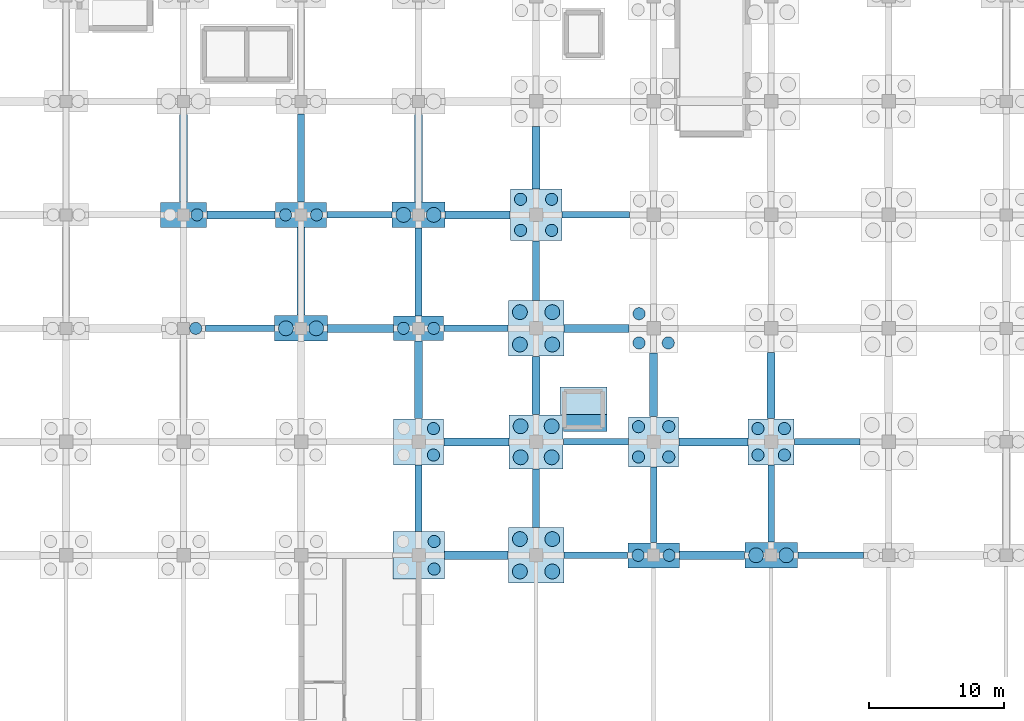
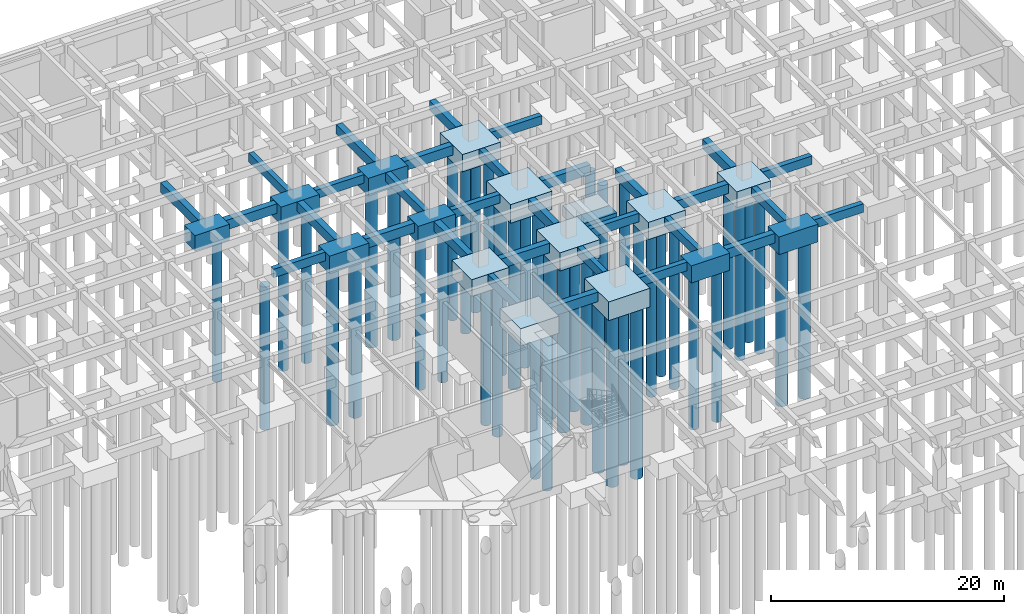
# One storey, part 9 of 33: 48 footings, 45 piles.
"""IFC4 building model written with IfcOpenShell, lengths in metres."""

from ifc_helpers import new_model, si_unit, derived_unit, direction, frame, origin, origin_2d, place, context, subcontext, project, spatial, rectangle, circle, extrude, material, material_profile, profile_set, type_object, element, save


model = new_model("IFC4")

# Units and contexts
model_context = context("Model", 3, precision=1e-05, world=origin(), true_north=direction((0.0, 1.0)))
body_context = subcontext(model_context, "Body", "Model", "MODEL_VIEW")
ifc_project = project(units=[si_unit("LENGTHUNIT", "METRE"), si_unit("AREAUNIT", "SQUARE_METRE"), si_unit("VOLUMEUNIT", "CUBIC_METRE"), si_unit("PLANEANGLEUNIT", "RADIAN"), si_unit("MASSUNIT", "GRAM", prefix="KILO"), derived_unit("THERMALTRANSMITTANCEUNIT", [(si_unit("MASSUNIT", "GRAM", prefix="KILO"), 1), (si_unit("TIMEUNIT", "SECOND"), -3), (si_unit("THERMODYNAMICTEMPERATUREUNIT", "KELVIN"), -1)])], contexts=[model_context])

# Site, building, storey
site_placement = place(None, origin())
site = spatial("IfcSite", under=ifc_project, at=site_placement, CompositionType="ELEMENT")
building_placement = place(site_placement, origin())
building = spatial("IfcBuilding", under=site, at=building_placement, Name="Qinzheling Arcade Emporium", CompositionType="ELEMENT")
storey_placement = place(building_placement, frame((0.0, 0.0, -9.60009765625)))
storey = spatial("IfcBuildingStorey", under=building, at=storey_placement, Name="B2", CompositionType="ELEMENT", Elevation=-9.60009765625)

# Footings
ifc_material = material(Name="Concrete C40", Category="concrete")
footing_type_1 = type_object("IfcFootingType", Name="Canopy Pad Footing 2600x2600x1100 C40", PredefinedType="PAD_FOOTING", material=ifc_material)
footing_1_placement = place(storey_placement, frame((107.89990234375, 76.8349609375, -1.099853515625), z_axis=(0.0, 0.0, 1.0), x_axis=(1.0, 0.0, 0.0)))
element("IfcFooting", 1, at=footing_1_placement, inside=storey, type_object=footing_type_1, Name="Lift Pit Mat Pad FND-PF-LF-LP06-1", PredefinedType="PAD_FOOTING", context=body_context, shape_type="SweptSolid", body=[
    extrude(rectangle(XDim=3.49609375, YDim=2.02587890625, at=origin_2d()), origin(), (0.0, 0.0, 1.0), 1.10009765625),
])
footing_2_placement = place(storey_placement, frame((108.034912109375, 75.18505859375, -1.099853515625), z_axis=(0.0, 0.0, 1.0), x_axis=(1.0, 0.0, 0.0)))
element("IfcFooting", 2, at=footing_2_placement, inside=storey, type_object=footing_type_1, Name="Lift Pit Mat Pad FND-PF-LF-LP06-2", PredefinedType="PAD_FOOTING", context=body_context, shape_type="SweptSolid", body=[
    extrude(rectangle(XDim=3.22607421875, YDim=1.26611328125, at=origin_2d()), origin(), (0.0, 0.0, 1.0), 1.10009765625),
])
footing_type_2 = type_object("IfcFootingType", Name="Foundation Tie Beam 500x900 C40", PredefinedType="FOOTING_BEAM", material=ifc_material)
footing_3_placement = place(storey_placement, frame((108.824951171875, 65.39990234375, -0.89990234375), z_axis=(0.0, 0.0, 1.0), x_axis=(1.0, 0.0, 0.0)))
element("IfcFooting", 3, at=footing_3_placement, inside=storey, type_object=footing_type_2, Name="Foundation Tie FND-FB-115", PredefinedType="FOOTING_BEAM", context=body_context, shape_type="SweptSolid", body=[
    extrude(rectangle(XDim=4.7099609375, YDim=0.5, at=origin_2d()), origin(), (0.0, 0.0, 1.0), 0.89990234375),
])
footing_4_placement = place(storey_placement, frame((126.199951171875, 65.39990234375, -0.89990234375), z_axis=(0.0, 0.0, 1.0), x_axis=(1.0, 0.0, 0.0)))
element("IfcFooting", 4, at=footing_4_placement, inside=storey, type_object=footing_type_2, Name="Foundation Tie FND-FB-117", PredefinedType="FOOTING_BEAM", context=body_context, shape_type="SweptSolid", body=[
    extrude(rectangle(XDim=4.860107421875, YDim=0.5, at=origin_2d()), origin(), (0.0, 0.0, 1.0), 0.89990234375),
])
footing_5_placement = place(storey_placement, frame((108.824951171875, 73.800048828125, -0.89990234375), z_axis=(0.0, 0.0, 1.0), x_axis=(1.0, 0.0, 0.0)))
element("IfcFooting", 5, at=footing_5_placement, inside=storey, type_object=footing_type_2, Name="Foundation Tie FND-FB-129", PredefinedType="FOOTING_BEAM", context=body_context, shape_type="SweptSolid", body=[
    extrude(rectangle(XDim=4.81005859375, YDim=0.5, at=origin_2d()), origin(), (0.0, 0.0, 1.0), 0.89990234375),
])
footing_6_placement = place(storey_placement, frame((125.949951171875, 73.800048828125, -0.89990234375), z_axis=(0.0, 0.0, 1.0), x_axis=(1.0, 0.0, 0.0)))
element("IfcFooting", 6, at=footing_6_placement, inside=storey, type_object=footing_type_2, Name="Foundation Tie FND-FB-131", PredefinedType="FOOTING_BEAM", context=body_context, shape_type="SweptSolid", body=[
    extrude(rectangle(XDim=4.860107421875, YDim=0.5, at=origin_2d()), origin(), (0.0, 0.0, 1.0), 0.89990234375),
])
footing_7_placement = place(storey_placement, frame((82.47509765625, 82.199951171875, -0.89990234375), z_axis=(0.0, 0.0, 1.0), x_axis=(1.0, 0.0, 0.0)))
element("IfcFooting", 7, at=footing_7_placement, inside=storey, type_object=footing_type_2, Name="Foundation Tie FND-FB-139", PredefinedType="FOOTING_BEAM", context=body_context, shape_type="SweptSolid", body=[
    extrude(rectangle(XDim=5.110107421875, YDim=0.5, at=origin_2d()), origin(), (0.0, 0.0, 1.0), 0.89990234375),
])
footing_8_placement = place(storey_placement, frame((99.949951171875, 82.199951171875, -0.89990234375), z_axis=(0.0, 0.0, 1.0), x_axis=(1.0, 0.0, 0.0)))
element("IfcFooting", 8, at=footing_8_placement, inside=storey, type_object=footing_type_2, Name="Foundation Tie FND-FB-141", PredefinedType="FOOTING_BEAM", context=body_context, shape_type="SweptSolid", body=[
    extrude(rectangle(XDim=4.760009765625, YDim=0.5, at=origin_2d()), origin(), (0.0, 0.0, 1.0), 0.89990234375),
])
footing_9_placement = place(storey_placement, frame((91.324951171875, 90.60009765625, -0.89990234375), z_axis=(0.0, 0.0, 1.0), x_axis=(1.0, 0.0, 0.0)))
element("IfcFooting", 9, at=footing_9_placement, inside=storey, type_object=footing_type_2, Name="Foundation Tie FND-FB-151", PredefinedType="FOOTING_BEAM", context=body_context, shape_type="SweptSolid", body=[
    extrude(rectangle(XDim=4.81005859375, YDim=0.5, at=origin_2d()), origin(), (0.0, 0.0, 1.0), 0.89990234375),
])
footing_10_placement = place(storey_placement, frame((108.824951171875, 90.60009765625, -0.89990234375), z_axis=(0.0, 0.0, 1.0), x_axis=(1.0, 0.0, 0.0)))
element("IfcFooting", 10, at=footing_10_placement, inside=storey, type_object=footing_type_2, Name="Foundation Tie FND-FB-153", PredefinedType="FOOTING_BEAM", context=body_context, shape_type="SweptSolid", body=[
    extrude(rectangle(XDim=5.010009765625, YDim=0.5, at=origin_2d()), origin(), (0.0, 0.0, 1.0), 0.89990234375),
])
footing_11_placement = place(storey_placement, frame((87.0, 94.81201171875, -0.89990234375), z_axis=(0.0, 0.0, 1.0), x_axis=(1.0, 0.0, 0.0)))
element("IfcFooting", 11, at=footing_11_placement, inside=storey, type_object=footing_type_2, Name="Foundation Tie FND-FB-261", PredefinedType="FOOTING_BEAM", context=body_context, shape_type="SweptSolid", body=[
    extrude(rectangle(XDim=0.5, YDim=6.534912109375, at=origin_2d()), origin(), (0.0, 0.0, 1.0), 0.89990234375),
])
footing_12_placement = place(storey_placement, frame((95.699951171875, 69.625, -0.89990234375), z_axis=(0.0, 0.0, 1.0), x_axis=(1.0, 0.0, 0.0)))
element("IfcFooting", 12, at=footing_12_placement, inside=storey, type_object=footing_type_2, Name="Foundation Tie FND-FB-267", PredefinedType="FOOTING_BEAM", context=body_context, shape_type="SweptSolid", body=[
    extrude(rectangle(XDim=0.5, YDim=4.909912109375, at=origin_2d()), origin(), (0.0, 0.0, 1.0), 0.89990234375),
])
footing_13_placement = place(storey_placement, frame((95.699951171875, 86.375, -0.89990234375), z_axis=(0.0, 0.0, 1.0), x_axis=(1.0, 0.0, 0.0)))
element("IfcFooting", 13, at=footing_13_placement, inside=storey, type_object=footing_type_2, Name="Foundation Tie FND-FB-269", PredefinedType="FOOTING_BEAM", context=body_context, shape_type="SweptSolid", body=[
    extrude(rectangle(XDim=0.5, YDim=6.510009765625, at=origin_2d()), origin(), (0.0, 0.0, 1.0), 0.89990234375),
])
footing_14_placement = place(storey_placement, frame((104.39990234375, 69.625, -0.89990234375), z_axis=(0.0, 0.0, 1.0), x_axis=(1.0, 0.0, 0.0)))
element("IfcFooting", 14, at=footing_14_placement, inside=storey, type_object=footing_type_2, Name="Foundation Tie FND-FB-279", PredefinedType="FOOTING_BEAM", context=body_context, shape_type="SweptSolid", body=[
    extrude(rectangle(XDim=0.5, YDim=4.31005859375, at=origin_2d()), origin(), (0.0, 0.0, 1.0), 0.89990234375),
])
footing_15_placement = place(storey_placement, frame((104.39990234375, 86.47509765625, -0.89990234375), z_axis=(0.0, 0.0, 1.0), x_axis=(1.0, 0.0, 0.0)))
element("IfcFooting", 15, at=footing_15_placement, inside=storey, type_object=footing_type_2, Name="Foundation Tie FND-FB-281", PredefinedType="FOOTING_BEAM", context=body_context, shape_type="SweptSolid", body=[
    extrude(rectangle(XDim=0.5, YDim=4.409912109375, at=origin_2d()), origin(), (0.0, 0.0, 1.0), 0.89990234375),
])
footing_16_placement = place(storey_placement, frame((113.10009765625, 69.137939453125, -0.89990234375), z_axis=(0.0, 0.0, 1.0), x_axis=(1.0, 0.0, 0.0)))
element("IfcFooting", 16, at=footing_16_placement, inside=storey, type_object=footing_type_2, Name="Foundation Tie FND-FB-291", PredefinedType="FOOTING_BEAM", context=body_context, shape_type="SweptSolid", body=[
    extrude(rectangle(XDim=0.5, YDim=5.5849609375, at=origin_2d()), origin(), (0.0, 0.0, 1.0), 0.89990234375),
])
footing_17_placement = place(storey_placement, frame((121.800048828125, 69.22509765625, -0.89990234375), z_axis=(0.0, 0.0, 1.0), x_axis=(1.0, 0.0, 0.0)))
element("IfcFooting", 17, at=footing_17_placement, inside=storey, type_object=footing_type_2, Name="Foundation Tie FND-FB-303", PredefinedType="FOOTING_BEAM", context=body_context, shape_type="SweptSolid", body=[
    extrude(rectangle(XDim=0.5, YDim=5.7099609375, at=origin_2d()), origin(), (0.0, 0.0, 1.0), 0.89990234375),
])
footing_type_3 = type_object("IfcFootingType", Name="Foundation Tie Beam 600x1000 C40", PredefinedType="FOOTING_BEAM", material=ifc_material)
footing_18_placement = place(storey_placement, frame((99.97509765625, 65.39990234375, -1.0), z_axis=(0.0, 0.0, 1.0), x_axis=(1.0, 0.0, 0.0)))
element("IfcFooting", 18, at=footing_18_placement, inside=storey, type_object=footing_type_3, Name="Foundation Tie FND-FB-114", PredefinedType="FOOTING_BEAM", context=body_context, shape_type="SweptSolid", body=[
    extrude(rectangle(XDim=4.7099609375, YDim=0.60009765625, at=origin_2d()), origin(), (0.0, 0.0, 1.0), 1.0),
])
for number, where, z_axis, x_axis, name in (
    (19, (117.425048828125, 65.39990234375, -1.0), (0.0, 0.0, 1.0), (1.0, 0.0, 0.0), "Foundation Tie FND-FB-116"),
    (20, (99.97509765625, 73.800048828125, -1.0), (0.0, 0.0, 1.0), (1.0, 0.0, 0.0), "Foundation Tie FND-FB-128"),
):
    element("IfcFooting", number, at=place(storey_placement, frame(where, z_axis=z_axis, x_axis=x_axis)), inside=storey, type_object=footing_type_3, Name=name, PredefinedType="FOOTING_BEAM", context=body_context, shape_type="SweptSolid", body=[
        extrude(rectangle(XDim=4.81005859375, YDim=0.60009765625, at=origin_2d()), origin(), (0.0, 0.0, 1.0), 1.0),
    ])
footing_19_placement = place(storey_placement, frame((117.52490234375, 73.800048828125, -1.0), z_axis=(0.0, 0.0, 1.0), x_axis=(1.0, 0.0, 0.0)))
element("IfcFooting", 21, at=footing_19_placement, inside=storey, type_object=footing_type_3, Name="Foundation Tie FND-FB-130", PredefinedType="FOOTING_BEAM", context=body_context, shape_type="SweptSolid", body=[
    extrude(rectangle(XDim=5.110107421875, YDim=0.60009765625, at=origin_2d()), origin(), (0.0, 0.0, 1.0), 1.0),
])
footing_20_placement = place(storey_placement, frame((91.39990234375, 82.199951171875, -1.0), z_axis=(0.0, 0.0, 1.0), x_axis=(1.0, 0.0, 0.0)))
element("IfcFooting", 22, at=footing_20_placement, inside=storey, type_object=footing_type_3, Name="Foundation Tie FND-FB-140", PredefinedType="FOOTING_BEAM", context=body_context, shape_type="SweptSolid", body=[
    extrude(rectangle(XDim=4.860107421875, YDim=0.60009765625, at=origin_2d()), origin(), (0.0, 0.0, 1.0), 1.0),
])
footing_21_placement = place(storey_placement, frame((108.875, 82.199951171875, -1.0), z_axis=(0.0, 0.0, 1.0), x_axis=(1.0, 0.0, 0.0)))
element("IfcFooting", 23, at=footing_21_placement, inside=storey, type_object=footing_type_3, Name="Foundation Tie FND-FB-142", PredefinedType="FOOTING_BEAM", context=body_context, shape_type="SweptSolid", body=[
    extrude(rectangle(XDim=4.81005859375, YDim=0.60009765625, at=origin_2d()), origin(), (0.0, 0.0, 1.0), 1.0),
])
footing_22_placement = place(storey_placement, frame((82.550048828125, 90.60009765625, -1.0), z_axis=(0.0, 0.0, 1.0), x_axis=(1.0, 0.0, 0.0)))
element("IfcFooting", 24, at=footing_22_placement, inside=storey, type_object=footing_type_3, Name="Foundation Tie FND-FB-150", PredefinedType="FOOTING_BEAM", context=body_context, shape_type="SweptSolid", body=[
    extrude(rectangle(XDim=5.06005859375, YDim=0.60009765625, at=origin_2d()), origin(), (0.0, 0.0, 1.0), 1.0),
])
footing_23_placement = place(storey_placement, frame((100.074951171875, 90.60009765625, -1.0), z_axis=(0.0, 0.0, 1.0), x_axis=(1.0, 0.0, 0.0)))
element("IfcFooting", 25, at=footing_23_placement, inside=storey, type_object=footing_type_3, Name="Foundation Tie FND-FB-152", PredefinedType="FOOTING_BEAM", context=body_context, shape_type="SweptSolid", body=[
    extrude(rectangle(XDim=4.81005859375, YDim=0.60009765625, at=origin_2d()), origin(), (0.0, 0.0, 1.0), 1.0),
])
for number, where, z_axis, x_axis, name in (
    (26, (78.300048828125, 94.787109375, -1.0), (0.0, 0.0, 1.0), (1.0, 0.0, 0.0), "Foundation Tie FND-FB-252"),
    (27, (87.0, 86.412109375, -1.0), (0.0, 0.0, 1.0), (1.0, 0.0, 0.0), "Foundation Tie FND-FB-260"),
):
    element("IfcFooting", number, at=place(storey_placement, frame(where, z_axis=z_axis, x_axis=x_axis)), inside=storey, type_object=footing_type_3, Name=name, PredefinedType="FOOTING_BEAM", context=body_context, shape_type="SweptSolid", body=[
        extrude(rectangle(XDim=0.60009765625, YDim=6.485107421875, at=origin_2d()), origin(), (0.0, 0.0, 1.0), 1.0),
    ])
footing_24_placement = place(storey_placement, frame((95.699951171875, 78.39990234375, -1.0), z_axis=(0.0, 0.0, 1.0), x_axis=(1.0, 0.0, 0.0)))
element("IfcFooting", 28, at=footing_24_placement, inside=storey, type_object=footing_type_3, Name="Foundation Tie FND-FB-268", PredefinedType="FOOTING_BEAM", context=body_context, shape_type="SweptSolid", body=[
    extrude(rectangle(XDim=0.60009765625, YDim=5.760009765625, at=origin_2d()), origin(), (0.0, 0.0, 1.0), 1.0),
])
footing_25_placement = place(storey_placement, frame((95.699951171875, 94.800048828125, -1.0), z_axis=(0.0, 0.0, 1.0), x_axis=(1.0, 0.0, 0.0)))
element("IfcFooting", 29, at=footing_25_placement, inside=storey, type_object=footing_type_3, Name="Foundation Tie FND-FB-270", PredefinedType="FOOTING_BEAM", context=body_context, shape_type="SweptSolid", body=[
    extrude(rectangle(XDim=0.60009765625, YDim=6.4599609375, at=origin_2d()), origin(), (0.0, 0.0, 1.0), 1.0),
])
footing_26_placement = place(storey_placement, frame((104.39990234375, 77.97509765625, -1.0), z_axis=(0.0, 0.0, 1.0), x_axis=(1.0, 0.0, 0.0)))
element("IfcFooting", 30, at=footing_26_placement, inside=storey, type_object=footing_type_3, Name="Foundation Tie FND-FB-280", PredefinedType="FOOTING_BEAM", context=body_context, shape_type="SweptSolid", body=[
    extrude(rectangle(XDim=0.60009765625, YDim=4.31005859375, at=origin_2d()), origin(), (0.0, 0.0, 1.0), 1.0),
])
footing_27_placement = place(storey_placement, frame((104.39990234375, 94.824951171875, -1.0), z_axis=(0.0, 0.0, 1.0), x_axis=(1.0, 0.0, 0.0)))
element("IfcFooting", 31, at=footing_27_placement, inside=storey, type_object=footing_type_3, Name="Foundation Tie FND-FB-282", PredefinedType="FOOTING_BEAM", context=body_context, shape_type="SweptSolid", body=[
    extrude(rectangle(XDim=0.60009765625, YDim=4.610107421875, at=origin_2d()), origin(), (0.0, 0.0, 1.0), 1.0),
])
footing_28_placement = place(storey_placement, frame((113.10009765625, 78.02490234375, -1.0), z_axis=(0.0, 0.0, 1.0), x_axis=(1.0, 0.0, 0.0)))
element("IfcFooting", 32, at=footing_28_placement, inside=storey, type_object=footing_type_3, Name="Foundation Tie FND-FB-292", PredefinedType="FOOTING_BEAM", context=body_context, shape_type="SweptSolid", body=[
    extrude(rectangle(XDim=0.60009765625, YDim=4.7099609375, at=origin_2d()), origin(), (0.0, 0.0, 1.0), 1.0),
])
footing_29_placement = place(storey_placement, frame((121.800048828125, 77.97509765625, -1.0), z_axis=(0.0, 0.0, 1.0), x_axis=(1.0, 0.0, 0.0)))
element("IfcFooting", 33, at=footing_29_placement, inside=storey, type_object=footing_type_3, Name="Foundation Tie FND-FB-304", PredefinedType="FOOTING_BEAM", context=body_context, shape_type="SweptSolid", body=[
    extrude(rectangle(XDim=0.60009765625, YDim=4.909912109375, at=origin_2d()), origin(), (0.0, 0.0, 1.0), 1.0),
])
footing_type_4 = type_object("IfcFootingType", Name="Four-Pile Arcade Cap 3700x3400x1750 C40", PredefinedType="PILE_CAP", material=ifc_material)
footing_30_placement = place(storey_placement, frame((95.699951171875, 73.800048828125, -1.75), z_axis=(0.0, 0.0, 1.0), x_axis=(1.0, 0.0, 0.0)))
element("IfcFooting", 34, at=footing_30_placement, inside=storey, type_object=footing_type_4, Name="Pile Cap FND-PC-110", PredefinedType="PILE_CAP", context=body_context, shape_type="SweptSolid", body=[
    extrude(rectangle(XDim=3.699951171875, YDim=3.39990234375, at=origin_2d()), origin(), (0.0, 0.0, 1.0), 1.75),
])
footing_type_5 = type_object("IfcFootingType", Name="Four-Pile Atrium Cap 4000x4000x1900 C40", PredefinedType="PILE_CAP", material=ifc_material)
footing_31_placement = place(storey_placement, frame((104.39990234375, 73.800048828125, -1.89990234375), z_axis=(0.0, 0.0, 1.0), x_axis=(1.0, 0.0, 0.0)))
element("IfcFooting", 35, at=footing_31_placement, inside=storey, type_object=footing_type_5, Name="Pile Cap FND-PC-124", PredefinedType="PILE_CAP", context=body_context, shape_type="SweptSolid", body=[
    extrude(rectangle(XDim=4.0, YDim=4.0, at=origin_2d()), origin(), (0.0, 0.0, 1.0), 1.89990234375),
])
footing_type_6 = type_object("IfcFootingType", Name="Four-Pile Core Cap 4100x4100x1950 C40", PredefinedType="PILE_CAP", material=ifc_material)
for number, where, z_axis, x_axis, name in (
    (36, (104.39990234375, 65.39990234375, -1.94970703125), (0.0, 0.0, 1.0), (1.0, 0.0, 0.0), "Pile Cap FND-PC-123"),
    (37, (104.39990234375, 82.199951171875, -1.94970703125), (0.0, 0.0, 1.0), (1.0, 0.0, 0.0), "Pile Cap FND-PC-125"),
):
    element("IfcFooting", number, at=place(storey_placement, frame(where, z_axis=z_axis, x_axis=x_axis)), inside=storey, type_object=footing_type_6, Name=name, PredefinedType="PILE_CAP", context=body_context, shape_type="SweptSolid", body=[
        extrude(rectangle(XDim=4.10009765625, YDim=4.10009765625, at=origin_2d()), origin(), (0.0, 0.0, 1.0), 1.949951171875),
    ])
footing_type_7 = type_object("IfcFootingType", Name="Four-Pile Flagship Cap 3800x3800x1800 C40", PredefinedType="PILE_CAP", material=ifc_material)
footing_32_placement = place(storey_placement, frame((104.39990234375, 90.60009765625, -1.7998046875), z_axis=(0.0, 0.0, 1.0), x_axis=(1.0, 0.0, 0.0)))
element("IfcFooting", 38, at=footing_32_placement, inside=storey, type_object=footing_type_7, Name="Pile Cap FND-PC-126", PredefinedType="PILE_CAP", context=body_context, shape_type="SweptSolid", body=[
    extrude(rectangle(XDim=3.800048828125, YDim=3.800048828125, at=origin_2d()), origin(), (0.0, 0.0, 1.0), 1.800048828125),
])
footing_type_8 = type_object("IfcFootingType", Name="Four-Pile Office Cap 3800x3500x1800 C40", PredefinedType="PILE_CAP", material=ifc_material)
footing_33_placement = place(storey_placement, frame((95.699951171875, 65.39990234375, -1.7998046875), z_axis=(0.0, 0.0, 1.0), x_axis=(1.0, 0.0, 0.0)))
element("IfcFooting", 39, at=footing_33_placement, inside=storey, type_object=footing_type_8, Name="Pile Cap FND-PC-109", PredefinedType="PILE_CAP", context=body_context, shape_type="SweptSolid", body=[
    extrude(rectangle(XDim=3.800048828125, YDim=3.5, at=origin_2d()), origin(), (0.0, 0.0, 1.0), 1.800048828125),
])
footing_type_9 = type_object("IfcFootingType", Name="Four-Pile Retail Cap 3700x3700x1800 C40", PredefinedType="PILE_CAP", material=ifc_material)
footing_34_placement = place(storey_placement, frame((113.10009765625, 73.800048828125, -1.7998046875), z_axis=(0.0, 0.0, 1.0), x_axis=(1.0, 0.0, 0.0)))
element("IfcFooting", 40, at=footing_34_placement, inside=storey, type_object=footing_type_9, Name="Pile Cap FND-PC-138", PredefinedType="PILE_CAP", context=body_context, shape_type="SweptSolid", body=[
    extrude(rectangle(XDim=3.699951171875, YDim=3.699951171875, at=origin_2d()), origin(), (0.0, 0.0, 1.0), 1.800048828125),
])
footing_type_10 = type_object("IfcFootingType", Name="Four-Pile Wing Cap 3400x3400x1650 C40", PredefinedType="PILE_CAP", material=ifc_material)
footing_35_placement = place(storey_placement, frame((121.800048828125, 73.800048828125, -1.64990234375), z_axis=(0.0, 0.0, 1.0), x_axis=(1.0, 0.0, 0.0)))
element("IfcFooting", 41, at=footing_35_placement, inside=storey, type_object=footing_type_10, Name="Pile Cap FND-PC-152", PredefinedType="PILE_CAP", context=body_context, shape_type="SweptSolid", body=[
    extrude(rectangle(XDim=3.39990234375, YDim=3.39990234375, at=origin_2d()), origin(), (0.0, 0.0, 1.0), 1.64990234375),
])

# Piles
ifc_material_profile_1 = material_profile(ifc_material, circle(Radius=0.550048828125, at=origin_2d()), Name="BORED D1100", Category="concrete")
ifc_profile_set_1 = profile_set([ifc_material_profile_1], Name="Concrete C40")
pile_type_1 = type_object("IfcPileType", Name="Rotary Bored Pile D1100 C40", PredefinedType="BORED", material=ifc_profile_set_1)
for number, where, z_axis, x_axis, name in (
    (42, (85.8798828125, 82.199951171875, -1.75), (0.0, 0.0, -1.0), (1.0, 0.0, 0.0), "Bored Pile FND-PL-0321"),
    (43, (88.1201171875, 82.199951171875, -1.75), (0.0, 0.0, -1.0), (1.0, 0.0, 0.0), "Bored Pile FND-PL-0322"),
    (44, (94.580078125, 90.60009765625, -1.75), (0.0, 0.0, -1.0), (1.0, 0.0, 0.0), "Bored Pile FND-PL-0353"),
    (45, (96.820068359375, 90.60009765625, -1.75), (0.0, 0.0, -1.0), (1.0, 0.0, 0.0), "Bored Pile FND-PL-0354"),
):
    element("IfcPile", number, at=place(storey_placement, frame(where, z_axis=z_axis, x_axis=x_axis)), inside=storey, type_object=pile_type_1, Name=name, PredefinedType="BORED", context=body_context, shape_type="SweptSolid", body=[
        extrude(circle(Radius=0.550048828125, at=origin_2d()), origin(), (0.0, 0.0, 1.0), 16.5),
    ])
for number, where, z_axis, x_axis, name in (
    (46, (103.199951171875, 64.199951171875, -1.849853515625), (0.0, 0.0, -1.0), (1.0, 0.0, 0.0), "Bored Pile FND-PL-0379"),
    (47, (105.60009765625, 64.199951171875, -1.849853515625), (0.0, 0.0, -1.0), (1.0, 0.0, 0.0), "Bored Pile FND-PL-0380"),
    (48, (103.199951171875, 66.60009765625, -1.849853515625), (0.0, 0.0, -1.0), (1.0, 0.0, 0.0), "Bored Pile FND-PL-0381"),
    (49, (105.60009765625, 66.60009765625, -1.849853515625), (0.0, 0.0, -1.0), (1.0, 0.0, 0.0), "Bored Pile FND-PL-0382"),
):
    element("IfcPile", number, at=place(storey_placement, frame(where, z_axis=z_axis, x_axis=x_axis)), inside=storey, type_object=pile_type_1, Name=name, PredefinedType="BORED", context=body_context, shape_type="SweptSolid", body=[
        extrude(circle(Radius=0.550048828125, at=origin_2d()), origin(), (0.0, 0.0, 1.0), 18.0),
    ])
for number, where, z_axis, x_axis, name in (
    (50, (103.25, 72.64990234375, -1.7998046875), (0.0, 0.0, -1.0), (1.0, 0.0, 0.0), "Bored Pile FND-PL-0383"),
    (51, (105.550048828125, 72.64990234375, -1.7998046875), (0.0, 0.0, -1.0), (1.0, 0.0, 0.0), "Bored Pile FND-PL-0384"),
    (52, (103.25, 74.949951171875, -1.7998046875), (0.0, 0.0, -1.0), (1.0, 0.0, 0.0), "Bored Pile FND-PL-0385"),
    (53, (105.550048828125, 74.949951171875, -1.7998046875), (0.0, 0.0, -1.0), (1.0, 0.0, 0.0), "Bored Pile FND-PL-0386"),
):
    element("IfcPile", number, at=place(storey_placement, frame(where, z_axis=z_axis, x_axis=x_axis)), inside=storey, type_object=pile_type_1, Name=name, PredefinedType="BORED", context=body_context, shape_type="SweptSolid", body=[
        extrude(circle(Radius=0.550048828125, at=origin_2d()), origin(), (0.0, 0.0, 1.0), 17.5),
    ])
for number, where, z_axis, x_axis, name in (
    (54, (103.199951171875, 81.0, -1.849853515625), (0.0, 0.0, -1.0), (1.0, 0.0, 0.0), "Bored Pile FND-PL-0387"),
    (55, (105.60009765625, 81.0, -1.849853515625), (0.0, 0.0, -1.0), (1.0, 0.0, 0.0), "Bored Pile FND-PL-0388"),
    (56, (103.199951171875, 83.39990234375, -1.849853515625), (0.0, 0.0, -1.0), (1.0, 0.0, 0.0), "Bored Pile FND-PL-0389"),
    (57, (105.60009765625, 83.39990234375, -1.849853515625), (0.0, 0.0, -1.0), (1.0, 0.0, 0.0), "Bored Pile FND-PL-0390"),
):
    element("IfcPile", number, at=place(storey_placement, frame(where, z_axis=z_axis, x_axis=x_axis)), inside=storey, type_object=pile_type_1, Name=name, PredefinedType="BORED", context=body_context, shape_type="SweptSolid", body=[
        extrude(circle(Radius=0.550048828125, at=origin_2d()), origin(), (0.0, 0.0, 1.0), 18.0),
    ])
for number, where, z_axis, x_axis, name in (
    (58, (120.679931640625, 65.39990234375, -1.75), (0.0, 0.0, -1.0), (1.0, 0.0, 0.0), "Bored Pile FND-PL-0463"),
    (59, (122.919921875, 65.39990234375, -1.75), (0.0, 0.0, -1.0), (1.0, 0.0, 0.0), "Bored Pile FND-PL-0464"),
):
    element("IfcPile", number, at=place(storey_placement, frame(where, z_axis=z_axis, x_axis=x_axis)), inside=storey, type_object=pile_type_1, Name=name, PredefinedType="BORED", context=body_context, shape_type="SweptSolid", body=[
        extrude(circle(Radius=0.550048828125, at=origin_2d()), origin(), (0.0, 0.0, 1.0), 16.5),
    ])
ifc_material_profile_2 = material_profile(ifc_material, circle(Radius=0.449951171875, at=origin_2d()), Name="BORED D900", Category="concrete")
ifc_profile_set_2 = profile_set([ifc_material_profile_2], Name="Concrete C40")
pile_type_2 = type_object("IfcPileType", Name="Rotary Bored Pile D900 C40", PredefinedType="BORED", material=ifc_profile_set_2)
for number, where, z_axis, x_axis, name in (
    (60, (79.199951171875, 82.199951171875, -1.449951171875), (0.0, 0.0, -1.0), (1.0, 0.0, 0.0), "Bored Pile FND-PL-0292"),
    (61, (79.300048828125, 90.60009765625, -1.5498046875), (0.0, 0.0, -1.0), (1.0, 0.0, 0.0), "Bored Pile FND-PL-0294"),
):
    element("IfcPile", number, at=place(storey_placement, frame(where, z_axis=z_axis, x_axis=x_axis)), inside=storey, type_object=pile_type_2, Name=name, PredefinedType="BORED", context=body_context, shape_type="SweptSolid", body=[
        extrude(circle(Radius=0.449951171875, at=origin_2d()), origin(), (0.0, 0.0, 1.0), 15.0),
    ])
for number, where, z_axis, x_axis, name in (
    (62, (85.85009765625, 90.60009765625, -1.699951171875), (0.0, 0.0, -1.0), (1.0, 0.0, 0.0), "Bored Pile FND-PL-0323"),
    (63, (88.14990234375, 90.60009765625, -1.699951171875), (0.0, 0.0, -1.0), (1.0, 0.0, 0.0), "Bored Pile FND-PL-0324"),
):
    element("IfcPile", number, at=place(storey_placement, frame(where, z_axis=z_axis, x_axis=x_axis)), inside=storey, type_object=pile_type_2, Name=name, PredefinedType="BORED", context=body_context, shape_type="SweptSolid", body=[
        extrude(circle(Radius=0.449951171875, at=origin_2d()), origin(), (0.0, 0.0, 1.0), 16.0),
    ])
for number, where, z_axis, x_axis, name in (
    (64, (96.85009765625, 64.3798828125, -1.699951171875), (0.0, 0.0, -1.0), (1.0, 0.0, 0.0), "Bored Pile FND-PL-0344"),
    (65, (96.85009765625, 66.419921875, -1.699951171875), (0.0, 0.0, -1.0), (1.0, 0.0, 0.0), "Bored Pile FND-PL-0346"),
):
    element("IfcPile", number, at=place(storey_placement, frame(where, z_axis=z_axis, x_axis=x_axis)), inside=storey, type_object=pile_type_2, Name=name, PredefinedType="BORED", context=body_context, shape_type="SweptSolid", body=[
        extrude(circle(Radius=0.449951171875, at=origin_2d()), origin(), (0.0, 0.0, 1.0), 16.5),
    ])
for number, where, z_axis, x_axis, name in (
    (66, (96.800048828125, 72.820068359375, -1.64990234375), (0.0, 0.0, -1.0), (1.0, 0.0, 0.0), "Bored Pile FND-PL-0348"),
    (67, (96.800048828125, 74.780029296875, -1.64990234375), (0.0, 0.0, -1.0), (1.0, 0.0, 0.0), "Bored Pile FND-PL-0350"),
    (68, (94.580078125, 82.199951171875, -1.64990234375), (0.0, 0.0, -1.0), (1.0, 0.0, 0.0), "Bored Pile FND-PL-0351"),
    (69, (96.820068359375, 82.199951171875, -1.64990234375), (0.0, 0.0, -1.0), (1.0, 0.0, 0.0), "Bored Pile FND-PL-0352"),
):
    element("IfcPile", number, at=place(storey_placement, frame(where, z_axis=z_axis, x_axis=x_axis)), inside=storey, type_object=pile_type_2, Name=name, PredefinedType="BORED", context=body_context, shape_type="SweptSolid", body=[
        extrude(circle(Radius=0.449951171875, at=origin_2d()), origin(), (0.0, 0.0, 1.0), 16.0),
    ])
for number, where, z_axis, x_axis, name in (
    (70, (103.25, 89.449951171875, -1.699951171875), (0.0, 0.0, -1.0), (1.0, 0.0, 0.0), "Bored Pile FND-PL-0391"),
    (71, (105.550048828125, 89.449951171875, -1.699951171875), (0.0, 0.0, -1.0), (1.0, 0.0, 0.0), "Bored Pile FND-PL-0392"),
    (72, (103.25, 91.75, -1.699951171875), (0.0, 0.0, -1.0), (1.0, 0.0, 0.0), "Bored Pile FND-PL-0393"),
    (73, (105.550048828125, 91.75, -1.699951171875), (0.0, 0.0, -1.0), (1.0, 0.0, 0.0), "Bored Pile FND-PL-0394"),
):
    element("IfcPile", number, at=place(storey_placement, frame(where, z_axis=z_axis, x_axis=x_axis)), inside=storey, type_object=pile_type_2, Name=name, PredefinedType="BORED", context=body_context, shape_type="SweptSolid", body=[
        extrude(circle(Radius=0.449951171875, at=origin_2d()), origin(), (0.0, 0.0, 1.0), 17.5),
    ])
for number, where, z_axis, x_axis, name in (
    (74, (111.949951171875, 65.39990234375, -1.699951171875), (0.0, 0.0, -1.0), (1.0, 0.0, 0.0), "Bored Pile FND-PL-0419"),
    (75, (114.25, 65.39990234375, -1.699951171875), (0.0, 0.0, -1.0), (1.0, 0.0, 0.0), "Bored Pile FND-PL-0420"),
):
    element("IfcPile", number, at=place(storey_placement, frame(where, z_axis=z_axis, x_axis=x_axis)), inside=storey, type_object=pile_type_2, Name=name, PredefinedType="BORED", context=body_context, shape_type="SweptSolid", body=[
        extrude(circle(Radius=0.449951171875, at=origin_2d()), origin(), (0.0, 0.0, 1.0), 16.0),
    ])
for number, where, z_axis, x_axis, name in (
    (76, (111.97998046875, 72.679931640625, -1.699951171875), (0.0, 0.0, -1.0), (1.0, 0.0, 0.0), "Bored Pile FND-PL-0421"),
    (77, (114.219970703125, 72.679931640625, -1.699951171875), (0.0, 0.0, -1.0), (1.0, 0.0, 0.0), "Bored Pile FND-PL-0422"),
    (78, (111.97998046875, 74.919921875, -1.699951171875), (0.0, 0.0, -1.0), (1.0, 0.0, 0.0), "Bored Pile FND-PL-0423"),
    (79, (114.219970703125, 74.919921875, -1.699951171875), (0.0, 0.0, -1.0), (1.0, 0.0, 0.0), "Bored Pile FND-PL-0424"),
    (80, (112.02001953125, 81.1201171875, -1.64990234375), (0.0, 0.0, -1.0), (1.0, 0.0, 0.0), "Bored Pile FND-PL-0425"),
    (81, (114.179931640625, 81.1201171875, -1.64990234375), (0.0, 0.0, -1.0), (1.0, 0.0, 0.0), "Bored Pile FND-PL-0426"),
    (82, (112.02001953125, 83.280029296875, -1.64990234375), (0.0, 0.0, -1.0), (1.0, 0.0, 0.0), "Bored Pile FND-PL-0427"),
):
    element("IfcPile", number, at=place(storey_placement, frame(where, z_axis=z_axis, x_axis=x_axis)), inside=storey, type_object=pile_type_2, Name=name, PredefinedType="BORED", context=body_context, shape_type="SweptSolid", body=[
        extrude(circle(Radius=0.449951171875, at=origin_2d()), origin(), (0.0, 0.0, 1.0), 17.0),
    ])
for number, where, z_axis, x_axis, name in (
    (83, (120.820068359375, 72.820068359375, -1.5498046875), (0.0, 0.0, -1.0), (1.0, 0.0, 0.0), "Bored Pile FND-PL-0465"),
    (84, (122.780029296875, 72.820068359375, -1.5498046875), (0.0, 0.0, -1.0), (1.0, 0.0, 0.0), "Bored Pile FND-PL-0466"),
    (85, (120.820068359375, 74.780029296875, -1.5498046875), (0.0, 0.0, -1.0), (1.0, 0.0, 0.0), "Bored Pile FND-PL-0467"),
    (86, (122.780029296875, 74.780029296875, -1.5498046875), (0.0, 0.0, -1.0), (1.0, 0.0, 0.0), "Bored Pile FND-PL-0468"),
):
    element("IfcPile", number, at=place(storey_placement, frame(where, z_axis=z_axis, x_axis=x_axis)), inside=storey, type_object=pile_type_2, Name=name, PredefinedType="BORED", context=body_context, shape_type="SweptSolid", body=[
        extrude(circle(Radius=0.449951171875, at=origin_2d()), origin(), (0.0, 0.0, 1.0), 16.5),
    ])

# Footings
footing_type_11 = type_object("IfcFootingType", Name="Two-Pile Dock Cap 3800x1850x1800 C40", PredefinedType="PILE_CAP", material=ifc_material)
for number, where, z_axis, x_axis, name in (
    (87, (87.0, 90.60009765625, -1.7998046875), (0.0, 0.0, 1.0), (1.0, 0.0, 0.0), "Pile Cap FND-PC-101"),
    (88, (113.10009765625, 65.39990234375, -1.7998046875), (0.0, 0.0, 1.0), (1.0, 0.0, 0.0), "Pile Cap FND-PC-137"),
):
    element("IfcFooting", number, at=place(storey_placement, frame(where, z_axis=z_axis, x_axis=x_axis)), inside=storey, type_object=footing_type_11, Name=name, PredefinedType="PILE_CAP", context=body_context, shape_type="SweptSolid", body=[
        extrude(rectangle(XDim=3.800048828125, YDim=1.85009765625, at=origin_2d()), origin(), (0.0, 0.0, 1.0), 1.800048828125),
    ])
footing_type_12 = type_object("IfcFootingType", Name="Two-Pile Heavy Cap 3900x1900x1850 C40", PredefinedType="PILE_CAP", material=ifc_material)
for number, where, z_axis, x_axis, name in (
    (89, (87.0, 82.199951171875, -1.849853515625), (0.0, 0.0, 1.0), (1.0, 0.0, 0.0), "Pile Cap FND-PC-100"),
    (90, (95.699951171875, 90.60009765625, -1.849853515625), (0.0, 0.0, 1.0), (1.0, 0.0, 0.0), "Pile Cap FND-PC-112"),
    (91, (121.800048828125, 65.39990234375, -1.849853515625), (0.0, 0.0, 1.0), (1.0, 0.0, 0.0), "Pile Cap FND-PC-151"),
):
    element("IfcFooting", number, at=place(storey_placement, frame(where, z_axis=z_axis, x_axis=x_axis)), inside=storey, type_object=footing_type_12, Name=name, PredefinedType="PILE_CAP", context=body_context, shape_type="SweptSolid", body=[
        extrude(rectangle(XDim=3.89990234375, YDim=1.89990234375, at=origin_2d()), origin(), (0.0, 0.0, 1.0), 1.85009765625),
    ])
footing_type_13 = type_object("IfcFootingType", Name="Two-Pile Pavilion Cap 3400x1850x1650 C40", PredefinedType="PILE_CAP", material=ifc_material)
footing_36_placement = place(storey_placement, frame((78.300048828125, 90.60009765625, -1.64990234375), z_axis=(0.0, 0.0, 1.0), x_axis=(1.0, 0.0, 0.0)))
element("IfcFooting", 92, at=footing_36_placement, inside=storey, type_object=footing_type_13, Name="Pile Cap FND-PC-090", PredefinedType="PILE_CAP", context=body_context, shape_type="SweptSolid", body=[
    extrude(rectangle(XDim=3.39990234375, YDim=1.85009765625, at=origin_2d()), origin(), (0.0, 0.0, 1.0), 1.64990234375),
])
footing_type_14 = type_object("IfcFootingType", Name="Two-Pile Stockroom Cap 3700x1800x1750 C40", PredefinedType="PILE_CAP", material=ifc_material)
footing_37_placement = place(storey_placement, frame((95.699951171875, 82.199951171875, -1.75), z_axis=(0.0, 0.0, 1.0), x_axis=(1.0, 0.0, 0.0)))
element("IfcFooting", 93, at=footing_37_placement, inside=storey, type_object=footing_type_14, Name="Pile Cap FND-PC-111", PredefinedType="PILE_CAP", context=body_context, shape_type="SweptSolid", body=[
    extrude(rectangle(XDim=3.699951171875, YDim=1.800048828125, at=origin_2d()), origin(), (0.0, 0.0, 1.0), 1.75),
])

save(model, "model.ifc")
